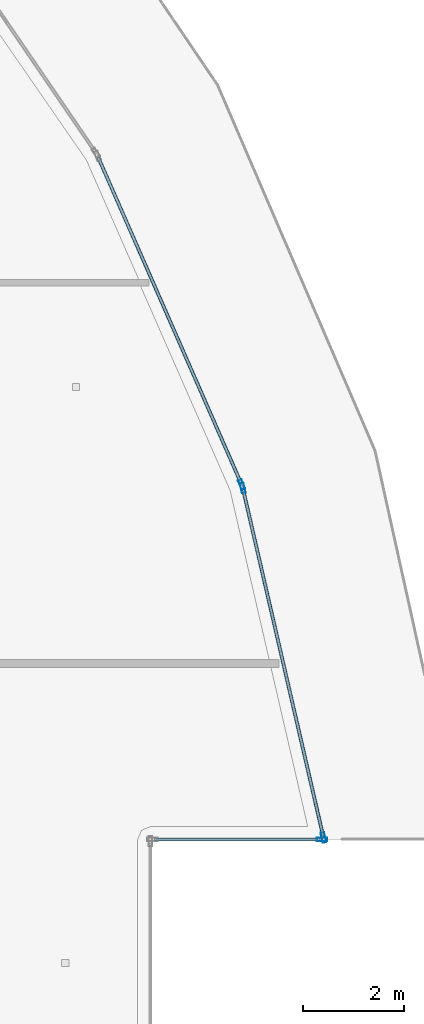
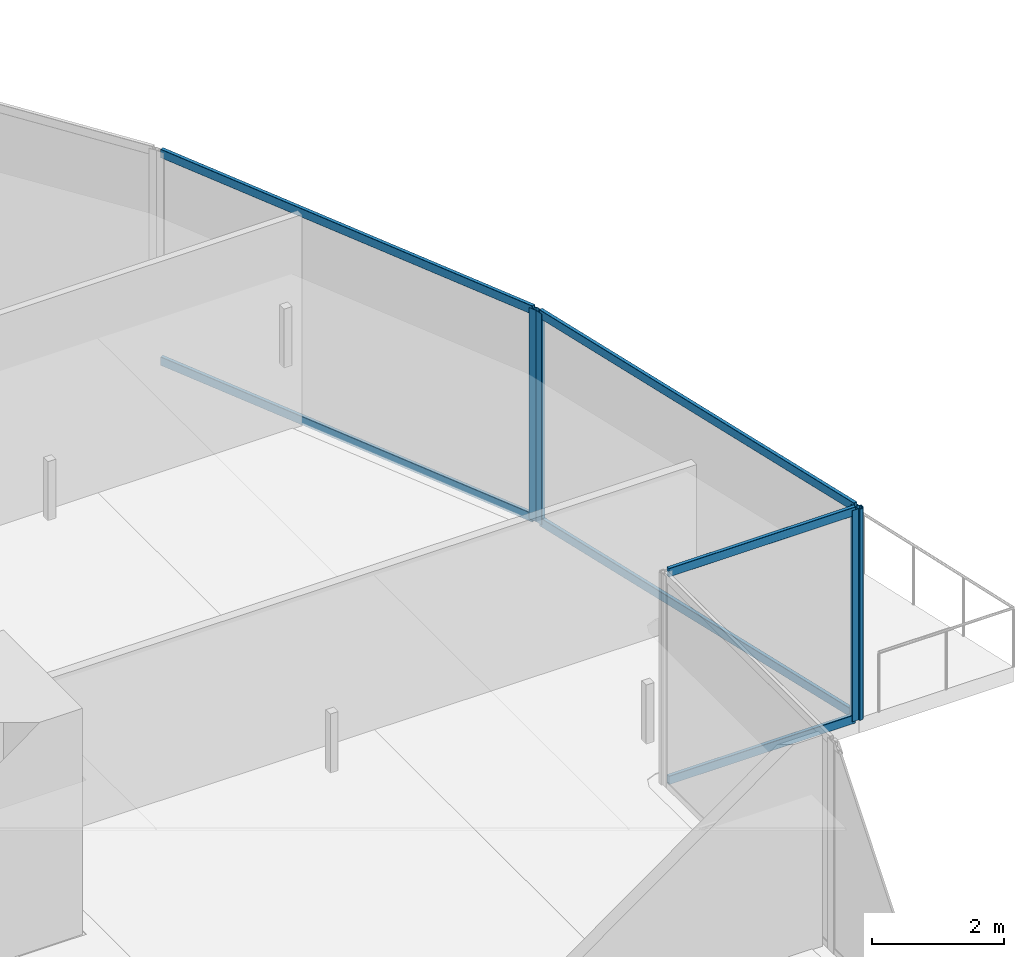
# One storey, part 28 of 47: 10 members, 3 elements without a shape of their own.
"""IFC4 building model written with IfcOpenShell, lengths in metres."""

from ifc_helpers import new_model, si_unit, direction, frame, origin, origin_2d, place, context, subcontext, project, spatial, hollow_rectangle, extrude, material, layer, layer_set, material_profile, profile_set, type_object, element, aggregate, save


model = new_model("IFC4")

# Units and contexts
model_context = context("Model", 3, precision=1e-05, world=origin(), true_north=direction((0.0, 1.0)))
body_context = subcontext(model_context, "Body", "Model", "MODEL_VIEW")
ifc_project = project(units=[si_unit("LENGTHUNIT", "METRE"), si_unit("AREAUNIT", "SQUARE_METRE"), si_unit("VOLUMEUNIT", "CUBIC_METRE"), si_unit("PLANEANGLEUNIT", "RADIAN"), si_unit("MASSUNIT", "GRAM", prefix="KILO")], contexts=[model_context])

# Site, building, storey
site_placement = place(None, origin())
site = spatial("IfcSite", under=ifc_project, at=site_placement, CompositionType="ELEMENT")
building_placement = place(site_placement, origin())
building = spatial("IfcBuilding", under=site, at=building_placement, Name="Qorvath Tower", CompositionType="ELEMENT")
storey_placement = place(building_placement, frame((0.0, 0.0, 82.800048828125)))
storey = spatial("IfcBuildingStorey", under=building, at=storey_placement, Name="L18", CompositionType="ELEMENT", Elevation=82.800048828125)

# Curtain wall, member
ifc_material_1 = material(Name="Anodised aluminium and triple low-E glass", Category="aluminium")
ifc_layer = layer(ifc_material_1, 0.179931640625)
ifc_layer_set = layer_set([ifc_layer], Name="CW-SYS-5")
curtain_wall_type = type_object("IfcCurtainWallType", Name="CW-SYS-5", PredefinedType="NOTDEFINED", material=ifc_layer_set)
curtain_wall_1_placement = place(storey_placement, origin())
curtain_wall_1 = element("IfcCurtainWall", 1, at=curtain_wall_1_placement, inside=storey, type_object=curtain_wall_type, Name="Curtain Wall CW-5 CW-T-L18-14.1", PredefinedType="NOTDEFINED")
ifc_material_2 = material(Name="Anodised aluminium 6063-T6", Category="aluminium")
ifc_material_profile_1 = material_profile(ifc_material_2, hollow_rectangle(XDim=0.074951171875, YDim=0.199951171875, WallThickness=0.00390625, InnerFilletRadius=0.00390625, OuterFilletRadius=0.008056640625, at=origin_2d()), Name="CWM 200x75")
ifc_profile_set_1 = profile_set([ifc_material_profile_1], Name="Anodised aluminium 6063-T6")
member_type_1 = type_object("IfcMemberType", Name="CWM-200", PredefinedType="MULLION", material=ifc_profile_set_1)
member_1_placement = place(storey_placement, frame((5.82373046875, 5.140869140625, 0.0), z_axis=(0.0, 0.0, 1.0), x_axis=(0.0, 1.0, 0.0)))
member_1 = element("IfcMember", 2, at=member_1_placement, type_object=member_type_1, Name="CW-5 mullion 2", PredefinedType="MULLION", context=body_context, shape_type="SweptSolid", body=[
    extrude(hollow_rectangle(XDim=0.074951171875, YDim=0.199951171875, WallThickness=0.00390625, InnerFilletRadius=0.00390625, OuterFilletRadius=0.008056640625, at=origin_2d()), origin(), (0.0, 0.0, 1.0), 3.919921875),
])

# Curtain wall, members
curtain_wall_2_placement = place(storey_placement, origin())
curtain_wall_2 = element("IfcCurtainWall", 3, at=curtain_wall_2_placement, inside=storey, type_object=curtain_wall_type, Name="Curtain Wall CW-5 CW-T-L18-15.1", PredefinedType="NOTDEFINED")
member_2_placement = place(storey_placement, frame((5.852783203125, 5.177490234375, 0.0), z_axis=(0.0, 0.0, 1.0), x_axis=(-0.974376611716, -0.22492269459, 0.0)))
member_2 = element("IfcMember", 4, at=member_2_placement, type_object=member_type_1, Name="CW-5 mullion 1", PredefinedType="MULLION", context=body_context, shape_type="SweptSolid", body=[
    extrude(hollow_rectangle(XDim=0.074951171875, YDim=0.199951171875, WallThickness=0.00390625, InnerFilletRadius=0.00390625, OuterFilletRadius=0.008056640625, at=origin_2d()), origin(), (0.0, 0.0, 1.0), 3.919921875),
])
member_3_placement = place(storey_placement, frame((4.258056640625, 12.086669921875, 0.0), z_axis=(0.0, 0.0, 1.0), x_axis=(-0.974376611716, -0.22492269459, 0.0)))
member_3 = element("IfcMember", 5, at=member_3_placement, type_object=member_type_1, Name="CW-5 mullion 2", PredefinedType="MULLION", context=body_context, shape_type="SweptSolid", body=[
    extrude(hollow_rectangle(XDim=0.074951171875, YDim=0.199951171875, WallThickness=0.00390625, InnerFilletRadius=0.00390625, OuterFilletRadius=0.008056640625, at=origin_2d()), origin(), (0.0, 0.0, 1.0), 3.919921875),
])

# Curtain wall, member
curtain_wall_3_placement = place(storey_placement, origin())
curtain_wall_3 = element("IfcCurtainWall", 6, at=curtain_wall_3_placement, inside=storey, type_object=curtain_wall_type, Name="Curtain Wall CW-5 CW-T-L18-16.1", PredefinedType="NOTDEFINED")
member_4_placement = place(storey_placement, frame((4.234375, 12.15771484375, 0.0), z_axis=(0.0, 0.0, 1.0), x_axis=(-0.915885530927, -0.401439527499, 0.0)))
member_4 = element("IfcMember", 7, at=member_4_placement, type_object=member_type_1, Name="CW-5 mullion 1", PredefinedType="MULLION", context=body_context, shape_type="SweptSolid", body=[
    extrude(hollow_rectangle(XDim=0.074951171875, YDim=0.199951171875, WallThickness=0.00390625, InnerFilletRadius=0.00390625, OuterFilletRadius=0.008056640625, at=origin_2d()), origin(), (0.0, 0.0, 1.0), 3.919921875),
])

# Member
ifc_material_3 = material(Name="Anodised aluminium 6063-T6", Category="aluminium")
ifc_material_profile_2 = material_profile(ifc_material_3, hollow_rectangle(XDim=0.06494140625, YDim=0.159912109375, WallThickness=0.00341796875, InnerFilletRadius=0.00341796875, OuterFilletRadius=0.007080078125, at=origin_2d()), Name="CWT 160x65")
ifc_profile_set_2 = profile_set([ifc_material_profile_2], Name="Anodised aluminium 6063-T6")
member_type_2 = type_object("IfcMemberType", Name="CWT-160", PredefinedType="USERDEFINED", material=ifc_profile_set_2)
member_5_placement = place(storey_placement, frame((2.509033203125, 5.140869140625, 0.032470703125), z_axis=(1.0, 0.0, 0.0), x_axis=(0.0, 1.0, 0.0)))
member_5 = element("IfcMember", 8, at=member_5_placement, type_object=member_type_2, Name="CW-5 transom 1.1", ObjectType="TRANSOM", PredefinedType="USERDEFINED", context=body_context, shape_type="SweptSolid", body=[
    extrude(hollow_rectangle(XDim=0.06494140625, YDim=0.159912109375, WallThickness=0.00341796875, InnerFilletRadius=0.00341796875, OuterFilletRadius=0.007080078125, at=origin_2d()), origin(), (0.0, 0.0, 1.0), 3.27734375),
])

member_6_placement = place(storey_placement, frame((2.509033203125, 5.140869140625, 3.887451171875), z_axis=(1.0, 0.0, 0.0), x_axis=(0.0, 1.0, 0.0)))
member_6 = element("IfcMember", 9, at=member_6_placement, type_object=member_type_2, Name="CW-5 transom 1.2", ObjectType="TRANSOM", PredefinedType="USERDEFINED", context=body_context, shape_type="SweptSolid", body=[
    extrude(hollow_rectangle(XDim=0.06494140625, YDim=0.159912109375, WallThickness=0.00341796875, InnerFilletRadius=0.00341796875, OuterFilletRadius=0.007080078125, at=origin_2d()), origin(), (0.0, 0.0, 1.0), 3.27734375),
])

aggregate(curtain_wall_1, [member_1, member_5, member_6])

member_7_placement = place(storey_placement, frame((5.844482421875, 5.2138671875, 0.032470703125), z_axis=(-0.22492558073, 0.974375945482, 0.0), x_axis=(-0.974375945482, -0.22492558073, 0.0)))
member_7 = element("IfcMember", 10, at=member_7_placement, type_object=member_type_2, Name="CW-5 transom 1.1", ObjectType="TRANSOM", PredefinedType="USERDEFINED", context=body_context, shape_type="SweptSolid", body=[
    extrude(hollow_rectangle(XDim=0.06494140625, YDim=0.159912109375, WallThickness=0.00341796875, InnerFilletRadius=0.00341796875, OuterFilletRadius=0.007080078125, at=origin_2d()), origin(), (0.0, 0.0, 1.0), 7.01611328125),
])

member_8_placement = place(storey_placement, frame((5.844482421875, 5.2138671875, 3.887451171875), z_axis=(-0.22492558073, 0.974375945482, 0.0), x_axis=(-0.974375945482, -0.22492558073, 0.0)))
member_8 = element("IfcMember", 11, at=member_8_placement, type_object=member_type_2, Name="CW-5 transom 1.2", ObjectType="TRANSOM", PredefinedType="USERDEFINED", context=body_context, shape_type="SweptSolid", body=[
    extrude(hollow_rectangle(XDim=0.06494140625, YDim=0.159912109375, WallThickness=0.00341796875, InnerFilletRadius=0.00341796875, OuterFilletRadius=0.007080078125, at=origin_2d()), origin(), (0.0, 0.0, 1.0), 7.01611328125),
])

aggregate(curtain_wall_2, [member_2, member_3, member_7, member_8])

member_9_placement = place(storey_placement, frame((4.219482421875, 12.19189453125, 0.032470703125), z_axis=(-0.401448500939, 0.915881597748, 0.0), x_axis=(-0.915881597748, -0.401448500939, 0.0)))
member_9 = element("IfcMember", 12, at=member_9_placement, type_object=member_type_2, Name="CW-5 transom 1.1", ObjectType="TRANSOM", PredefinedType="USERDEFINED", context=body_context, shape_type="SweptSolid", body=[
    extrude(hollow_rectangle(XDim=0.06494140625, YDim=0.159912109375, WallThickness=0.00341796875, InnerFilletRadius=0.00341796875, OuterFilletRadius=0.007080078125, at=origin_2d()), origin(), (0.0, 0.0, 1.0), 7.01611328125),
])

member_10_placement = place(storey_placement, frame((4.219482421875, 12.19189453125, 3.887451171875), z_axis=(-0.401448500939, 0.915881597748, 0.0), x_axis=(-0.915881597748, -0.401448500939, 0.0)))
member_10 = element("IfcMember", 13, at=member_10_placement, type_object=member_type_2, Name="CW-5 transom 1.2", ObjectType="TRANSOM", PredefinedType="USERDEFINED", context=body_context, shape_type="SweptSolid", body=[
    extrude(hollow_rectangle(XDim=0.06494140625, YDim=0.159912109375, WallThickness=0.00341796875, InnerFilletRadius=0.00341796875, OuterFilletRadius=0.007080078125, at=origin_2d()), origin(), (0.0, 0.0, 1.0), 7.01611328125),
])

aggregate(curtain_wall_3, [member_4, member_9, member_10])

save(model, "model.ifc")
